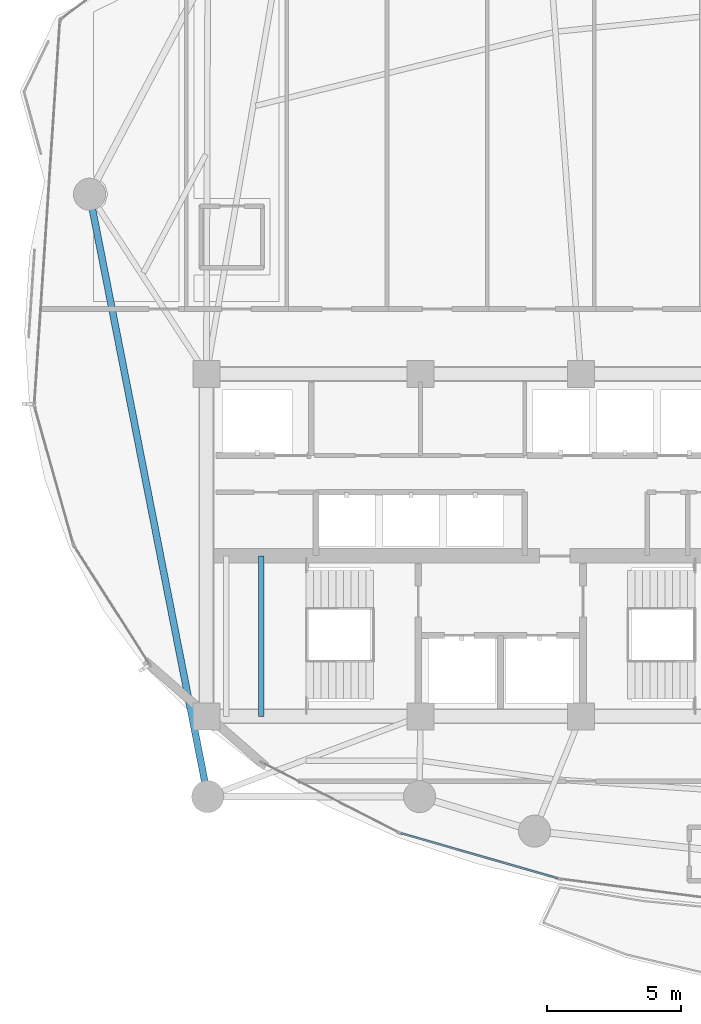
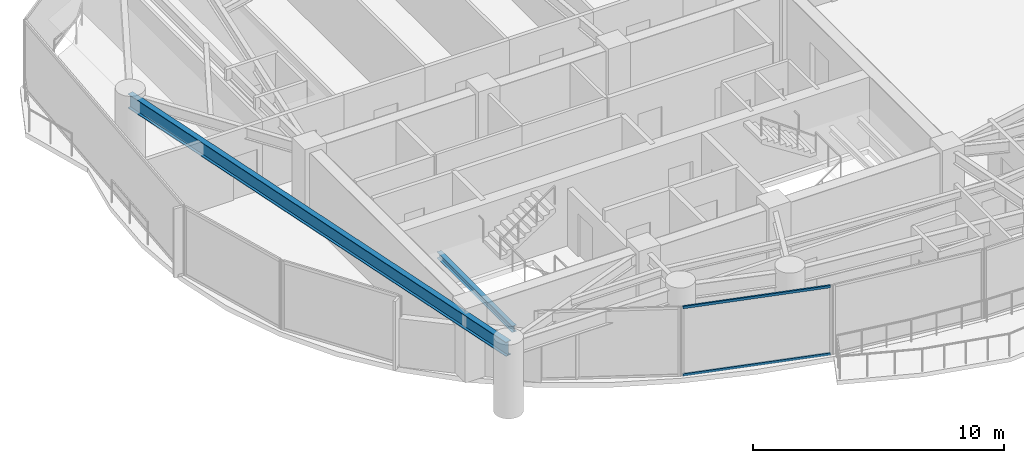
# One storey, part 4 of 31: 2 beams, 2 members, 1 element without a shape of its own.
"""IFC4 building model written with IfcOpenShell, lengths in metres."""

from ifc_helpers import new_model, si_unit, direction, frame, origin, origin_2d, place, context, subcontext, project, spatial, hollow_rectangle, i_section, extrude, material, layer, layer_set, material_profile, profile_set, type_object, element, aggregate, save


model = new_model("IFC4")

# Units and contexts
model_context = context("Model", 3, precision=1e-05, world=origin(), true_north=direction((0.0, 1.0)))
body_context = subcontext(model_context, "Body", "Model", "MODEL_VIEW")
ifc_project = project(units=[si_unit("LENGTHUNIT", "METRE"), si_unit("AREAUNIT", "SQUARE_METRE"), si_unit("VOLUMEUNIT", "CUBIC_METRE"), si_unit("PLANEANGLEUNIT", "RADIAN"), si_unit("MASSUNIT", "GRAM", prefix="KILO")], contexts=[model_context])

# Site, building, storey
site_placement = place(None, origin())
site = spatial("IfcSite", under=ifc_project, at=site_placement, CompositionType="ELEMENT")
building_placement = place(site_placement, origin())
building = spatial("IfcBuilding", under=site, at=building_placement, Name="Kazevale Care Tower and Concert Hall", CompositionType="ELEMENT")
storey_placement = place(building_placement, frame((0.0, 0.0, 117.0)))
storey = spatial("IfcBuildingStorey", under=building, at=storey_placement, Name="L30", CompositionType="ELEMENT", Elevation=117.0)

# Curtain wall, members
ifc_material_1 = material(Name="Aluminium 6063-T6 and Low-E Glass", Category="aluminium")
ifc_layer = layer(ifc_material_1, 0.179931640625)
ifc_layer_set = layer_set([ifc_layer], Name="Aluminium 6063-T6 and Low-E Glass")
curtain_wall_type = type_object("IfcCurtainWallType", Name="Sheltered Concave Balcony Curtain Wall CW-5", PredefinedType="NOTDEFINED", material=ifc_layer_set)
curtain_wall_placement = place(storey_placement, origin())
curtain_wall = element("IfcCurtainWall", 1, at=curtain_wall_placement, inside=storey, type_object=curtain_wall_type, Name="cw:L30:f08", PredefinedType="NOTDEFINED")
ifc_material_2 = material(Name="Aluminium 6063-T6", Category="aluminium")
ifc_material_profile_1 = material_profile(ifc_material_2, hollow_rectangle(XDim=0.074951171875, YDim=0.1201171875, WallThickness=0.00390625, at=origin_2d()), Name="ALU75x120x4")
ifc_profile_set_1 = profile_set([ifc_material_profile_1], Name="Aluminium 6063-T6")
member_type = type_object("IfcMemberType", Name="CW-5 Transom ALU75x120x4", PredefinedType="USERDEFINED", material=ifc_profile_set_1)
member_1_placement = place(storey_placement, frame((35.121826171875, 17.545654296875, 0.03759765625), z_axis=(-0.961067703236, 0.276312992451, 0.0), x_axis=(-0.276312992451, -0.961067703236, 0.0)))
member_1 = element("IfcMember", 2, at=member_1_placement, type_object=member_type, Name="CW-5 transom 1.1", ObjectType="TRANSOM", PredefinedType="USERDEFINED", context=body_context, shape_type="SweptSolid", body=[
    extrude(hollow_rectangle(XDim=0.074951171875, YDim=0.1201171875, WallThickness=0.00390625, at=origin_2d()), origin(), (0.0, 0.0, 1.0), 6.075439453125),
])
member_2_placement = place(storey_placement, frame((35.121826171875, 17.545654296875, 3.322509765625), z_axis=(-0.961067703236, 0.276312992451, 0.0), x_axis=(-0.276312992451, -0.961067703236, 0.0)))
member_2 = element("IfcMember", 3, at=member_2_placement, type_object=member_type, Name="CW-5 transom 1.2", ObjectType="TRANSOM", PredefinedType="USERDEFINED", context=body_context, shape_type="SweptSolid", body=[
    extrude(hollow_rectangle(XDim=0.074951171875, YDim=0.1201171875, WallThickness=0.00390625, at=origin_2d()), origin(), (0.0, 0.0, 1.0), 6.075439453125),
])
aggregate(curtain_wall, [member_1, member_2])

# Beams
ifc_material_3 = material(Name="Steel ASTM A572 Gr 50", Category="steel")
ifc_material_profile_2 = material_profile(ifc_material_3, i_section(OverallWidth=0.202880859375, OverallDepth=0.302978515625, WebThickness=0.007568359375, FlangeThickness=0.01318359375, at=origin_2d()), Name="W310x60")
ifc_profile_set_2 = profile_set([ifc_material_profile_2], Name="Steel ASTM A572 Gr 50")
beam_type_1 = type_object("IfcBeamType", Name="Stair & Balcony Trimmer W310x60", PredefinedType="BEAM", material=ifc_profile_set_2)
beam_1_placement = place(storey_placement, frame((24.050048828125, 23.60009765625, 1.448486328125), z_axis=(0.0, 1.0, 0.0), x_axis=(-1.0, 0.0, 0.0)))
element("IfcBeam", 4, at=beam_1_placement, inside=storey, type_object=beam_type_1, Name="beam:L30:sttrim:ST1b", PredefinedType="BEAM", context=body_context, shape_type="SweptSolid", body=[
    extrude(i_section(OverallWidth=0.202880859375, OverallDepth=0.302978515625, WebThickness=0.007568359375, FlangeThickness=0.01318359375, at=origin_2d()), origin(), (0.0, 0.0, 1.0), 6.0),
])
ifc_material_profile_3 = material_profile(ifc_material_3, i_section(OverallWidth=0.256103515625, OverallDepth=0.693115234375, WebThickness=0.014404296875, FlangeThickness=0.023681640625, at=origin_2d()), Name="W690x170")
ifc_profile_set_3 = profile_set([ifc_material_profile_3], Name="Steel ASTM A572 Gr 50")
beam_type_2 = type_object("IfcBeamType", Name="Waist Ring Beam W690x170", PredefinedType="BEAM", material=ifc_profile_set_3)
beam_2_placement = place(storey_placement, frame((17.6298828125, 43.1201171875, 3.013427734375), z_axis=(0.192602267784, -0.9812769061, 0.0), x_axis=(0.9812769061, 0.192602267784, 0.0)))
element("IfcBeam", 5, at=beam_2_placement, inside=storey, type_object=beam_type_2, Name="beam:L30:ring:09", PredefinedType="BEAM", context=body_context, shape_type="SweptSolid", body=[
    extrude(i_section(OverallWidth=0.256103515625, OverallDepth=0.693115234375, WebThickness=0.014404296875, FlangeThickness=0.023681640625, at=origin_2d()), origin(), (0.0, 0.0, 1.0), 22.94970703125),
])

save(model, "model.ifc")
